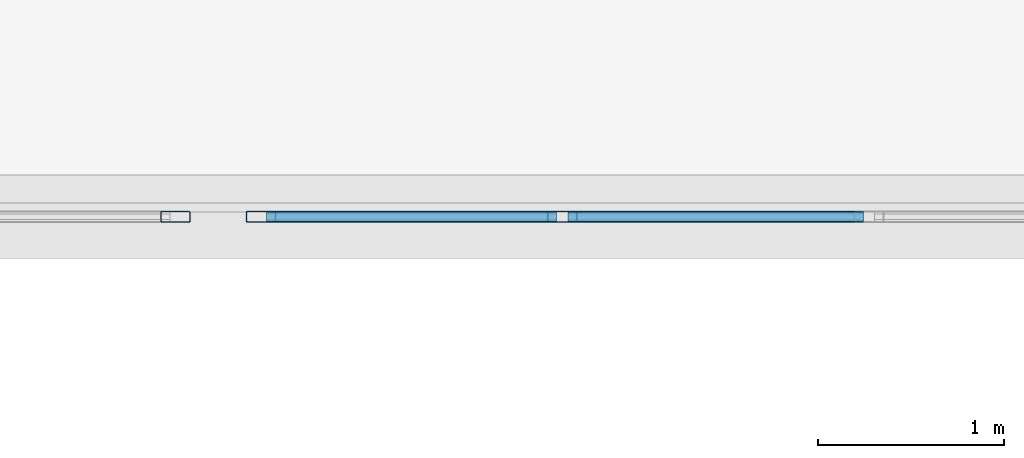
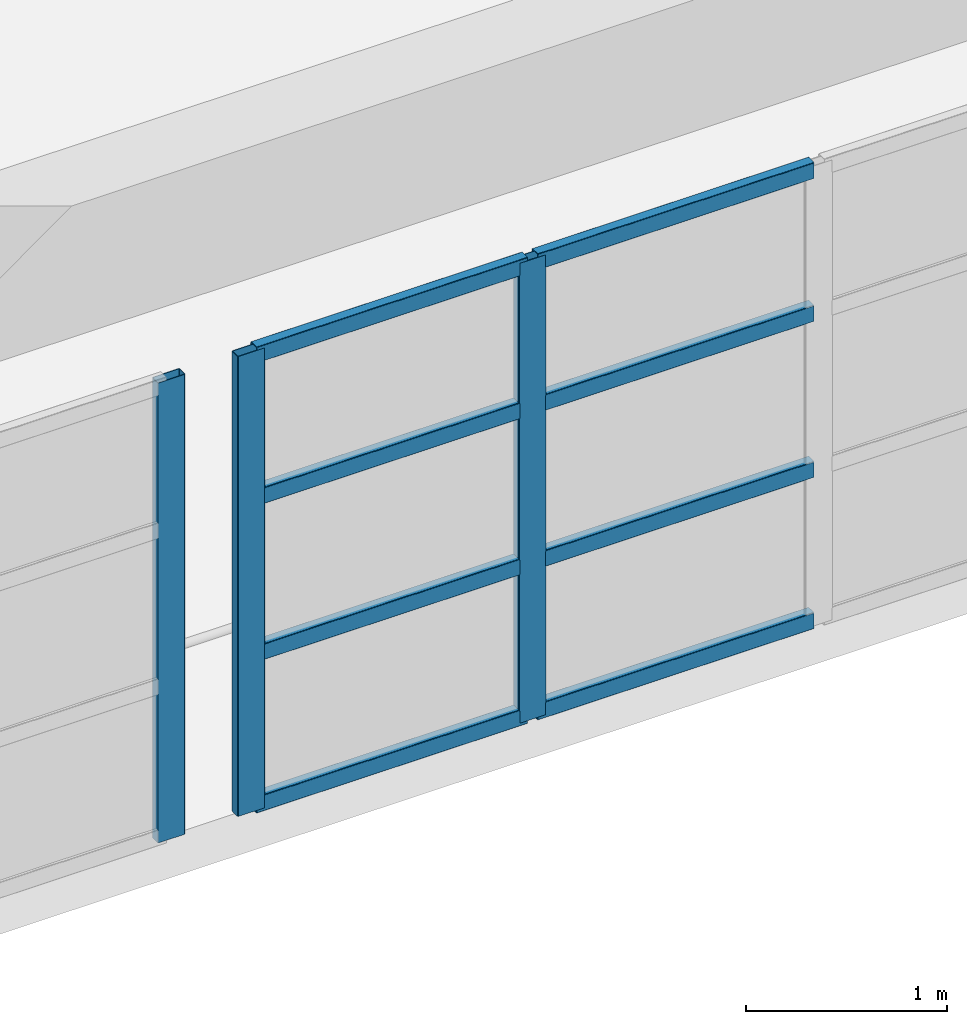
# One storey, part 14 of 101: 11 members, 2 elements without a shape of their own.
"""IFC4 building model written with IfcOpenShell, lengths in metres."""

from ifc_helpers import new_model, si_unit, direction, frame, origin, origin_2d, place, context, subcontext, project, spatial, hollow_rectangle, extrude, material, material_profile, profile_set, type_object, element, aggregate, save


model = new_model("IFC4")

# Units and contexts
model_context = context("Model", 3, precision=1e-05, world=origin(), true_north=direction((0.0, 1.0)))
body_context = subcontext(model_context, "Body", "Model", "MODEL_VIEW")
ifc_project = project(units=[si_unit("LENGTHUNIT", "METRE"), si_unit("AREAUNIT", "SQUARE_METRE"), si_unit("VOLUMEUNIT", "CUBIC_METRE"), si_unit("PLANEANGLEUNIT", "RADIAN"), si_unit("MASSUNIT", "GRAM", prefix="KILO")], contexts=[model_context])

# Site, building, storey
site_placement = place(None, origin())
site = spatial("IfcSite", under=ifc_project, at=site_placement, CompositionType="ELEMENT")
building_placement = place(site_placement, origin())
building = spatial("IfcBuilding", under=site, at=building_placement, Name="Qasida Concert Hall", CompositionType="ELEMENT")
storey_placement = place(building_placement, frame((0.0, 0.0, 13.199951171875)))
storey = spatial("IfcBuildingStorey", under=building, at=storey_placement, Name="L03", CompositionType="ELEMENT", Elevation=13.199951171875)

# Curtain wall, member
ifc_material_1 = material(Name="Architectural bronze-anodized aluminium and low-E glass", Category="aluminium")
curtain_wall_type = type_object("IfcCurtainWallType", Name="CW-09", PredefinedType="NOTDEFINED", material=ifc_material_1)
curtain_wall_1_placement = place(storey_placement, origin())
curtain_wall_1 = element("IfcCurtainWall", 1, at=curtain_wall_1_placement, inside=storey, type_object=curtain_wall_type, Name="L03 link bridge glazing 0206", PredefinedType="NOTDEFINED")
ifc_material_2 = material(Name="Architectural bronze-anodized aluminium EN AW-6063", Category="aluminium")
ifc_material_profile_1 = material_profile(ifc_material_2, hollow_rectangle(XDim=0.06005859375, YDim=0.159912109375, WallThickness=0.00390625, InnerFilletRadius=0.00390625, OuterFilletRadius=0.008056640625, at=origin_2d()), Name="CWM 160x60x4")
ifc_profile_set_1 = profile_set([ifc_material_profile_1], Name="Architectural bronze-anodized aluminium EN AW-6063")
member_type_1 = type_object("IfcMemberType", Name="MB-CWM-3", PredefinedType="MULLION", material=ifc_profile_set_1)
member_1_placement = place(storey_placement, frame((44.77001953125, 30.0, 0.0), z_axis=(0.0, 0.0, 1.0), x_axis=(0.0, 1.0, 0.0)))
member_1 = element("IfcMember", 2, at=member_1_placement, type_object=member_type_1, Name="CW-09 mullion 5", PredefinedType="MULLION", context=body_context, shape_type="SweptSolid", body=[
    extrude(hollow_rectangle(XDim=0.06005859375, YDim=0.159912109375, WallThickness=0.00390625, InnerFilletRadius=0.00390625, OuterFilletRadius=0.008056640625, at=origin_2d()), origin(), (0.0, 0.0, 1.0), 2.800048828125),
])
aggregate(curtain_wall_1, [member_1])

# Curtain wall, members
curtain_wall_2_placement = place(storey_placement, origin())
curtain_wall_2 = element("IfcCurtainWall", 3, at=curtain_wall_2_placement, inside=storey, type_object=curtain_wall_type, Name="L03 link bridge glazing 0208", PredefinedType="NOTDEFINED")
member_2_placement = place(storey_placement, frame((45.22998046875, 30.0, 0.0), z_axis=(0.0, 0.0, 1.0), x_axis=(0.0, 1.0, 0.0)))
member_2 = element("IfcMember", 4, at=member_2_placement, type_object=member_type_1, Name="CW-09 mullion 1", PredefinedType="MULLION", context=body_context, shape_type="SweptSolid", body=[
    extrude(hollow_rectangle(XDim=0.06005859375, YDim=0.159912109375, WallThickness=0.00390625, InnerFilletRadius=0.00390625, OuterFilletRadius=0.008056640625, at=origin_2d()), origin(), (0.0, 0.0, 1.0), 2.800048828125),
])
member_3_placement = place(storey_placement, frame((46.85009765625, 30.0, 0.0), z_axis=(0.0, 0.0, 1.0), x_axis=(0.0, 1.0, 0.0)))
member_3 = element("IfcMember", 5, at=member_3_placement, type_object=member_type_1, Name="CW-09 mullion 2", PredefinedType="MULLION", context=body_context, shape_type="SweptSolid", body=[
    extrude(hollow_rectangle(XDim=0.06005859375, YDim=0.159912109375, WallThickness=0.00390625, InnerFilletRadius=0.00390625, OuterFilletRadius=0.008056640625, at=origin_2d()), origin(), (0.0, 0.0, 1.0), 2.800048828125),
])
ifc_material_profile_2 = material_profile(ifc_material_2, hollow_rectangle(XDim=0.06005859375, YDim=0.10009765625, WallThickness=0.00341796875, InnerFilletRadius=0.00341796875, OuterFilletRadius=0.007080078125, at=origin_2d()), Name="CWT 100x60x3.5")
ifc_profile_set_2 = profile_set([ifc_material_profile_2], Name="Architectural bronze-anodized aluminium EN AW-6063")
member_type_2 = type_object("IfcMemberType", Name="MB-CWT-3", PredefinedType="USERDEFINED", material=ifc_profile_set_2)
member_4_placement = place(storey_placement, frame((45.260009765625, 30.0, 0.030029296875), z_axis=(1.0, 0.0, 0.0), x_axis=(0.0, 1.0, 0.0)))
member_4 = element("IfcMember", 6, at=member_4_placement, type_object=member_type_2, Name="CW-09 transom 1.1", ObjectType="TRANSOM", PredefinedType="USERDEFINED", context=body_context, shape_type="SweptSolid", body=[
    extrude(hollow_rectangle(XDim=0.06005859375, YDim=0.10009765625, WallThickness=0.00341796875, InnerFilletRadius=0.00341796875, OuterFilletRadius=0.007080078125, at=origin_2d()), origin(), (0.0, 0.0, 1.0), 1.56005859375),
])
member_5_placement = place(storey_placement, frame((45.260009765625, 30.0, 0.949951171875), z_axis=(1.0, 0.0, 0.0), x_axis=(0.0, 1.0, 0.0)))
member_5 = element("IfcMember", 7, at=member_5_placement, type_object=member_type_2, Name="CW-09 transom 1.2", ObjectType="TRANSOM", PredefinedType="USERDEFINED", context=body_context, shape_type="SweptSolid", body=[
    extrude(hollow_rectangle(XDim=0.06005859375, YDim=0.10009765625, WallThickness=0.00341796875, InnerFilletRadius=0.00341796875, OuterFilletRadius=0.007080078125, at=origin_2d()), origin(), (0.0, 0.0, 1.0), 1.56005859375),
])
member_6_placement = place(storey_placement, frame((45.260009765625, 30.0, 1.900146484375), z_axis=(1.0, 0.0, 0.0), x_axis=(0.0, 1.0, 0.0)))
member_6 = element("IfcMember", 8, at=member_6_placement, type_object=member_type_2, Name="CW-09 transom 1.3", ObjectType="TRANSOM", PredefinedType="USERDEFINED", context=body_context, shape_type="SweptSolid", body=[
    extrude(hollow_rectangle(XDim=0.06005859375, YDim=0.10009765625, WallThickness=0.00341796875, InnerFilletRadius=0.00341796875, OuterFilletRadius=0.007080078125, at=origin_2d()), origin(), (0.0, 0.0, 1.0), 1.56005859375),
])
member_7_placement = place(storey_placement, frame((45.260009765625, 30.0, 2.77001953125), z_axis=(1.0, 0.0, 0.0), x_axis=(0.0, 1.0, 0.0)))
member_7 = element("IfcMember", 9, at=member_7_placement, type_object=member_type_2, Name="CW-09 transom 1.4", ObjectType="TRANSOM", PredefinedType="USERDEFINED", context=body_context, shape_type="SweptSolid", body=[
    extrude(hollow_rectangle(XDim=0.06005859375, YDim=0.10009765625, WallThickness=0.00341796875, InnerFilletRadius=0.00341796875, OuterFilletRadius=0.007080078125, at=origin_2d()), origin(), (0.0, 0.0, 1.0), 1.56005859375),
])
member_8_placement = place(storey_placement, frame((46.8798828125, 30.0, 0.030029296875), z_axis=(1.0, 0.0, 0.0), x_axis=(0.0, 1.0, 0.0)))
member_8 = element("IfcMember", 10, at=member_8_placement, type_object=member_type_2, Name="CW-09 transom 2.1", ObjectType="TRANSOM", PredefinedType="USERDEFINED", context=body_context, shape_type="SweptSolid", body=[
    extrude(hollow_rectangle(XDim=0.06005859375, YDim=0.10009765625, WallThickness=0.00341796875, InnerFilletRadius=0.00341796875, OuterFilletRadius=0.007080078125, at=origin_2d()), origin(), (0.0, 0.0, 1.0), 1.590087890625),
])
member_9_placement = place(storey_placement, frame((46.8798828125, 30.0, 0.949951171875), z_axis=(1.0, 0.0, 0.0), x_axis=(0.0, 1.0, 0.0)))
member_9 = element("IfcMember", 11, at=member_9_placement, type_object=member_type_2, Name="CW-09 transom 2.2", ObjectType="TRANSOM", PredefinedType="USERDEFINED", context=body_context, shape_type="SweptSolid", body=[
    extrude(hollow_rectangle(XDim=0.06005859375, YDim=0.10009765625, WallThickness=0.00341796875, InnerFilletRadius=0.00341796875, OuterFilletRadius=0.007080078125, at=origin_2d()), origin(), (0.0, 0.0, 1.0), 1.590087890625),
])
member_10_placement = place(storey_placement, frame((46.8798828125, 30.0, 1.900146484375), z_axis=(1.0, 0.0, 0.0), x_axis=(0.0, 1.0, 0.0)))
member_10 = element("IfcMember", 12, at=member_10_placement, type_object=member_type_2, Name="CW-09 transom 2.3", ObjectType="TRANSOM", PredefinedType="USERDEFINED", context=body_context, shape_type="SweptSolid", body=[
    extrude(hollow_rectangle(XDim=0.06005859375, YDim=0.10009765625, WallThickness=0.00341796875, InnerFilletRadius=0.00341796875, OuterFilletRadius=0.007080078125, at=origin_2d()), origin(), (0.0, 0.0, 1.0), 1.590087890625),
])
member_11_placement = place(storey_placement, frame((46.8798828125, 30.0, 2.77001953125), z_axis=(1.0, 0.0, 0.0), x_axis=(0.0, 1.0, 0.0)))
member_11 = element("IfcMember", 13, at=member_11_placement, type_object=member_type_2, Name="CW-09 transom 2.4", ObjectType="TRANSOM", PredefinedType="USERDEFINED", context=body_context, shape_type="SweptSolid", body=[
    extrude(hollow_rectangle(XDim=0.06005859375, YDim=0.10009765625, WallThickness=0.00341796875, InnerFilletRadius=0.00341796875, OuterFilletRadius=0.007080078125, at=origin_2d()), origin(), (0.0, 0.0, 1.0), 1.590087890625),
])
aggregate(curtain_wall_2, [member_2, member_3, member_4, member_5, member_6, member_7, member_8, member_9, member_10, member_11])

save(model, "model.ifc")
